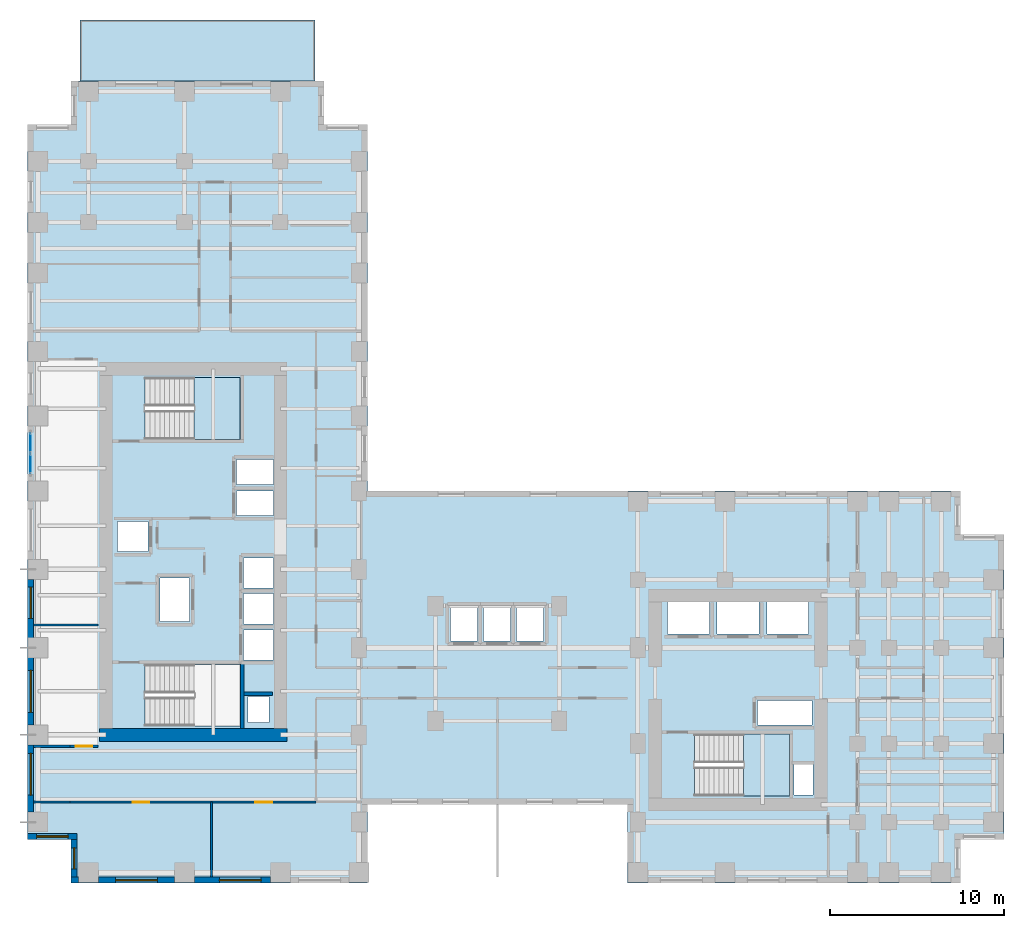
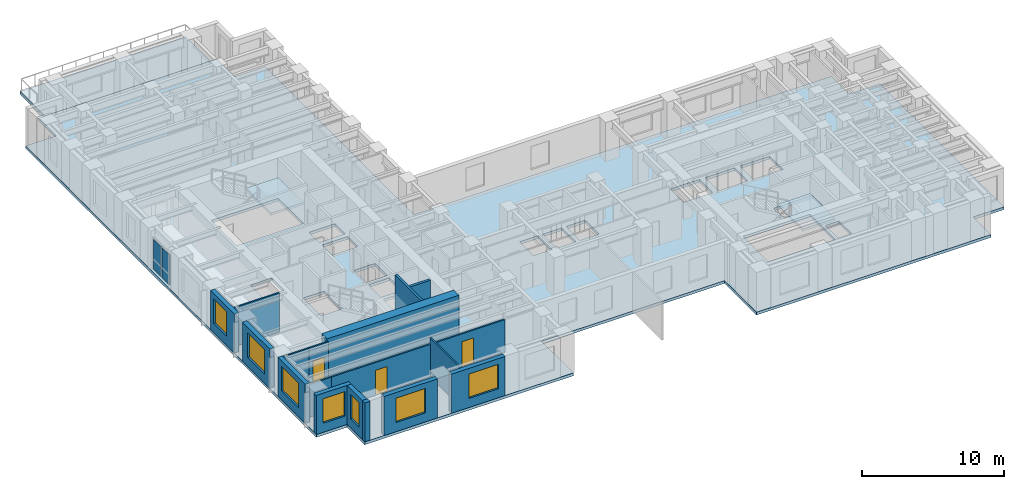
# One storey, part 4 of 13: 18 walls, 7 windows, 4 slabs, 3 doors, 2 plates, 10 openings, 3 elements without a shape of their own.
"""IFC4 building model written with IfcOpenShell, lengths in metres."""

from ifc_helpers import new_model, si_unit, direction, frame, frame_2d, origin, origin_2d, place, context, subcontext, project, spatial, polyline, rectangle, outline, extrude, source, transform, mapped, material, layer, layer_set, type_object, element, fill, aggregate, save


model = new_model("IFC4")

# Units and contexts
model_context = context("Model", 3, precision=1e-05, world=origin(), true_north=direction((0.0, 1.0)))
body_context = subcontext(model_context, "Body", "Model", "MODEL_VIEW")
ifc_project = project(units=[si_unit("LENGTHUNIT", "METRE"), si_unit("AREAUNIT", "SQUARE_METRE"), si_unit("VOLUMEUNIT", "CUBIC_METRE"), si_unit("PLANEANGLEUNIT", "RADIAN"), si_unit("MASSUNIT", "GRAM", prefix="KILO")], contexts=[model_context])

# Site, building, storey
site_placement = place(None, origin())
site = spatial("IfcSite", under=ifc_project, at=site_placement, CompositionType="ELEMENT")
building_placement = place(site_placement, origin())
building = spatial("IfcBuilding", under=site, at=building_placement, Name="Kharzan Plaza Tower", CompositionType="ELEMENT")
storey_placement = place(building_placement, frame((0.0, 0.0, 77.39990234375)))
storey = spatial("IfcBuildingStorey", under=building, at=storey_placement, Name="L20", CompositionType="ELEMENT", Elevation=77.39990234375)

# Slab
ifc_material_1 = material(Name="Concrete C40/50", Category="concrete")
ifc_layer_1 = layer(ifc_material_1, 0.239990234375)
ifc_layer_set_1 = layer_set([ifc_layer_1], Name="Concrete C40/50")
slab_type_1 = type_object("IfcSlabType", Name="SL-FLOOR-240", PredefinedType="FLOOR", material=ifc_layer_set_1)
slab_1_placement = place(storey_placement, frame((0.0, 0.0, -0.239990234375)))
element("IfcSlab", 1, at=slab_1_placement, inside=storey, type_object=slab_type_1, Name="L20 Composite Structural Floor Slab 240 mm", PredefinedType="FLOOR", context=body_context, shape_type="SweptSolid", body=[
    extrude(outline(polyline([(34.39990234375, 22.5), (19.5, 22.5), (19.5, 43.5), (17.0, 43.5), (17.0, 46.0), (2.5, 46.0), (2.5, 43.5), (0.0, 43.5), (0.0, 2.5), (2.5, 2.5), (2.5, 0.0), (19.5, 0.0), (19.5, 4.5), (34.39990234375, 4.5), (34.39990234375, 0.0), (53.5, 0.0), (53.5, 2.5), (56.0, 2.5), (56.0, 20.0), (53.5, 20.0), (53.5, 22.5), (34.39990234375, 22.5)]), holes=[polyline([(13.85009765625, 9.199951171875), (13.85009765625, 10.699951171875), (12.64990234375, 10.699951171875), (12.64990234375, 9.199951171875), (13.85009765625, 9.199951171875)]), polyline([(12.199951171875, 9.0), (12.199951171875, 12.550048828125), (6.75, 12.550048828125), (6.75, 9.0), (12.199951171875, 9.0)]), polyline([(14.10009765625, 12.800048828125), (14.10009765625, 14.530029296875), (12.39990234375, 14.530029296875), (12.39990234375, 12.800048828125), (14.10009765625, 12.800048828125)]), polyline([(14.10009765625, 14.8701171875), (14.10009765625, 16.60009765625), (12.39990234375, 16.60009765625), (12.39990234375, 14.8701171875), (14.10009765625, 14.8701171875)]), polyline([(9.300048828125, 15.0), (9.300048828125, 17.5), (7.60009765625, 17.5), (7.60009765625, 15.0), (9.300048828125, 15.0)]), polyline([(14.10009765625, 16.93994140625), (14.10009765625, 18.64990234375), (12.39990234375, 18.64990234375), (12.39990234375, 16.93994140625), (14.10009765625, 16.93994140625)]), polyline([(6.89990234375, 19.010009765625), (6.89990234375, 20.72998046875), (5.14990234375, 20.72998046875), (5.14990234375, 19.010009765625), (6.89990234375, 19.010009765625)]), polyline([(12.0, 21.070068359375), (14.10009765625, 21.070068359375), (14.10009765625, 22.489990234375), (12.0, 22.489990234375), (12.0, 21.070068359375)]), polyline([(12.0, 22.8701171875), (14.10009765625, 22.8701171875), (14.10009765625, 24.2900390625), (12.0, 24.2900390625), (12.0, 22.8701171875)]), polyline([(12.199951171875, 25.449951171875), (12.199951171875, 29.0), (6.75, 29.0), (6.75, 25.449951171875), (12.199951171875, 25.449951171875)]), polyline([(45.050048828125, 5.050048828125), (45.050048828125, 6.800048828125), (43.949951171875, 6.800048828125), (43.949951171875, 5.050048828125), (45.050048828125, 5.050048828125)]), polyline([(43.699951171875, 5.0), (43.699951171875, 8.550048828125), (38.25, 8.550048828125), (38.25, 5.0), (43.699951171875, 5.0)]), polyline([(41.85009765625, 9.070068359375), (45.0, 9.070068359375), (45.0, 10.469970703125), (41.85009765625, 10.469970703125), (41.85009765625, 9.070068359375)]), polyline([(24.25, 13.89990234375), (25.800048828125, 13.89990234375), (25.800048828125, 15.85009765625), (24.25, 15.85009765625), (24.25, 13.89990234375)]), polyline([(27.699951171875, 13.89990234375), (27.699951171875, 15.85009765625), (26.14990234375, 15.85009765625), (26.14990234375, 13.89990234375), (27.699951171875, 13.89990234375)]), polyline([(29.60009765625, 13.89990234375), (29.60009765625, 15.85009765625), (28.050048828125, 15.85009765625), (28.050048828125, 13.89990234375), (29.60009765625, 13.89990234375)]), polyline([(39.10009765625, 14.300048828125), (39.10009765625, 16.14990234375), (36.699951171875, 16.14990234375), (36.699951171875, 14.300048828125), (39.10009765625, 14.300048828125)]), polyline([(39.550048828125, 14.300048828125), (41.949951171875, 14.300048828125), (41.949951171875, 16.14990234375), (39.550048828125, 16.14990234375), (39.550048828125, 14.300048828125)]), polyline([(42.39990234375, 14.300048828125), (44.800048828125, 14.300048828125), (44.800048828125, 16.14990234375), (42.39990234375, 16.14990234375), (42.39990234375, 14.300048828125)])]), origin(), (0.0, 0.0, 1.0), 0.239990234375),
])

# Stair, slab
stair_type_1 = type_object("IfcStairType", Name="STR-ST-2", PredefinedType="HALF_TURN_STAIR", material=ifc_material_1)
stair_1_placement = place(storey_placement, origin())
stair_1 = element("IfcStair", 2, at=stair_1_placement, inside=storey, type_object=stair_type_1, Name="L20 Protected Exit Stair ST-2", PredefinedType="HALF_TURN_STAIR")
ifc_layer_2 = layer(ifc_material_1, 0.219970703125)
ifc_layer_set_2 = layer_set([ifc_layer_2], Name="Concrete C40/50")
slab_type_2 = type_object("IfcSlabType", Name="SL-LANDING-220", PredefinedType="LANDING", material=ifc_layer_set_2)
slab_2_placement = place(storey_placement, frame((0.0, 0.0, 1.60009765625)))
slab_2 = element("IfcSlab", 3, at=slab_2_placement, type_object=slab_type_2, Name="ST-2 landing 1", PredefinedType="LANDING", context=body_context, shape_type="SweptSolid", body=[
    extrude(outline(polyline([(9.550048828125, 25.449951171875), (12.199951171875, 25.449951171875), (12.199951171875, 29.0), (9.550048828125, 29.0), (9.550048828125, 25.449951171875)])), origin(), (0.0, 0.0, 1.0), 0.199951171875),
])
aggregate(stair_1, [slab_2])

stair_type_2 = type_object("IfcStairType", Name="STR-ST-3", PredefinedType="HALF_TURN_STAIR", material=ifc_material_1)
stair_2_placement = place(storey_placement, origin())
stair_2 = element("IfcStair", 4, at=stair_2_placement, inside=storey, type_object=stair_type_2, Name="L20 Protected Exit Stair ST-3", PredefinedType="HALF_TURN_STAIR")
slab_3_placement = place(storey_placement, frame((0.0, 0.0, 1.60009765625)))
slab_3 = element("IfcSlab", 5, at=slab_3_placement, type_object=slab_type_2, Name="ST-3 landing 1", PredefinedType="LANDING", context=body_context, shape_type="SweptSolid", body=[
    extrude(outline(polyline([(41.050048828125, 5.0), (43.699951171875, 5.0), (43.699951171875, 8.550048828125), (41.050048828125, 8.550048828125), (41.050048828125, 5.0)])), origin(), (0.0, 0.0, 1.0), 0.199951171875),
])
aggregate(stair_2, [slab_3])

# Slab
ifc_layer_3 = layer(ifc_material_1, 0.2548828125)
ifc_layer_set_3 = layer_set([ifc_layer_3], Name="Concrete C40/50")
slab_type_3 = type_object("IfcSlabType", Name="SL-TERR-TS-SB1", PredefinedType="ROOF", material=ifc_layer_set_3)
slab_4_placement = place(storey_placement, frame((0.0, 0.0, -0.2548828125)))
element("IfcSlab", 6, at=slab_4_placement, inside=storey, type_object=slab_type_3, Name="L20 North Setback Sky Terrace", PredefinedType="ROOF", context=body_context, shape_type="SweptSolid", body=[
    extrude(outline(polyline([(3.0, 46.0), (16.5, 46.0), (16.5, 49.5), (3.0, 49.5), (3.0, 46.0)])), origin(), (0.0, 0.0, 1.0), 0.2548828125),
])

# Curtain wall, plates
ifc_material_2 = material(Name="Unitised Bronze-Anodized Aluminium and Low-E Glass", Category="aluminium")
ifc_layer_4 = layer(ifc_material_2, 0.199951171875)
ifc_layer_set_4 = layer_set([ifc_layer_4], Name="Unitised Bronze-Anodized Aluminium and Low-E Glass")
curtain_wall_type = type_object("IfcCurtainWallType", Name="CW-SKY-4", PredefinedType="NOTDEFINED", material=ifc_layer_set_4)
curtain_wall_placement = place(storey_placement, origin())
curtain_wall = element("IfcCurtainWall", 7, at=curtain_wall_placement, inside=storey, type_object=curtain_wall_type, Name="L20 Sky-Lobby and Transfer Zone Feature Curtain Wall", PredefinedType="NOTDEFINED")
ifc_material_3 = material(Name="Dark Solar-Control Double Glazing", Category="glass")
ifc_layer_5 = layer(ifc_material_3, 0.031982421875)
ifc_layer_set_5 = layer_set([ifc_layer_5], Name="Dark Solar-Control Double Glazing")
plate_type = type_object("IfcPlateType", Name="PLT-CW-GLASS", PredefinedType="CURTAIN_PANEL", material=ifc_layer_set_5)
shared_shape_1 = source(origin(), body_context, "Body", "SweptSolid", [
    extrude(rectangle(XDim=1.080078125, YDim=0.031982421875, at=origin_2d()), origin(), (0.0, 0.0, 1.0), 2.590087890625),
])
plate_1_placement = place(storey_placement, frame((0.179931640625, 24.050048828125, 0.080078125), z_axis=(0.0, 0.0, 1.0), x_axis=(0.0, 1.0, 0.0)))
plate_1 = element("IfcPlate", 8, at=plate_1_placement, type_object=plate_type, Name="L20 Curtain-Wall Glazed Panel 00", PredefinedType="CURTAIN_PANEL", context=body_context, shape_type="MappedRepresentation", body=[
    mapped(shared_shape_1, transform((0.0, 0.0, 0.0), x_axis=(1.0, 0.0, 0.0), y_axis=(0.0, 1.0, 0.0), z_axis=(0.0, 0.0, 1.0))),
])
plate_2_placement = place(storey_placement, frame((0.179931640625, 25.25, 0.080078125), z_axis=(0.0, 0.0, 1.0), x_axis=(0.0, 1.0, 0.0)))
plate_2 = element("IfcPlate", 9, at=plate_2_placement, type_object=plate_type, Name="L20 Curtain-Wall Glazed Panel 01", PredefinedType="CURTAIN_PANEL", context=body_context, shape_type="MappedRepresentation", body=[
    mapped(shared_shape_1, transform((0.0, 0.0, 0.0), x_axis=(1.0, 0.0, 0.0), y_axis=(0.0, 1.0, 0.0), z_axis=(0.0, 0.0, 1.0))),
])
aggregate(curtain_wall, [plate_1, plate_2])

# Wall, opening, window
ifc_layer_6 = layer(ifc_material_1, 0.35009765625)
ifc_layer_set_6 = layer_set([ifc_layer_6], Name="Concrete C40/50")
wall_type_1 = type_object("IfcWallType", Name="WL-EXT-MAS-Z2", PredefinedType="SOLIDWALL", material=ifc_layer_set_6)
wall_1_placement = place(storey_placement, frame((0.175048828125, 17.427001953125, 0.0), z_axis=(0.0, 0.0, 1.0), x_axis=(0.0, -1.0, 0.0)))
wall_1 = element("IfcWall", 10, at=wall_1_placement, inside=storey, type_object=wall_type_1, Name="L20 Masonry-Frame Exterior Wall 17", PredefinedType="SOLIDWALL", context=body_context, shape_type="SweptSolid", body=[
    extrude(rectangle(XDim=3.35400390625, YDim=0.35009765625, at=frame_2d((1.677001953125, 0.0))), origin(), (0.0, 0.0, 1.0), 3.364990234375),
])
opening_1_placement = place(wall_1_placement, frame((0.448486328125, 0.0, 0.780029296875)))
opening_1 = element("IfcOpeningElement", 11, at=opening_1_placement, cuts=wall_1, Name="Opening W1", PredefinedType="OPENING", context=body_context, shape_type="SweptSolid", body=[
    extrude(rectangle(XDim=1.800048828125, YDim=2.10009765625, at=frame_2d((0.89990234375, 1.050048828125))), frame((0.0, 0.18505859375, 0.0), z_axis=(0.0, -1.0, 0.0), x_axis=(1.0, 0.0, 0.0)), (0.0, 0.0, 1.0), 0.3701171875),
])
ifc_material_4 = material(Name="Low-E Double Glazing", Category="glass")
window_type_1 = type_object("IfcWindowType", Name="WN-REC-1800x2100", PartitioningType="SINGLE_PANEL", PredefinedType="WINDOW", material=ifc_material_4)
shared_shape_2 = source(origin(), body_context, "Body", "SweptSolid", [
    extrude(rectangle(XDim=1.800048828125, YDim=2.10009765625, at=frame_2d((0.89990234375, 1.050048828125))), frame((0.0, 0.030029296875, 0.0), z_axis=(0.0, -1.0, 0.0), x_axis=(1.0, 0.0, 0.0)), (0.0, 0.0, 1.0), 0.06005859375),
])
window_1_placement = place(opening_1_placement, origin())
window_1 = element("IfcWindow", 12, at=window_1_placement, inside=storey, type_object=window_type_1, Name="L20 Recessed Solar-Control Window 17-1", OverallHeight=2.10009765625, OverallWidth=1.800048828125, PartitioningType="SINGLE_PANEL", PredefinedType="WINDOW", context=body_context, shape_type="MappedRepresentation", body=[
    mapped(shared_shape_2, transform((0.0, 0.0, 0.0), x_axis=(1.0, 0.0, 0.0), y_axis=(0.0, 1.0, 0.0), z_axis=(0.0, 0.0, 1.0))),
])
fill(opening_1, window_1)

wall_2_placement = place(storey_placement, frame((0.175048828125, 12.927001953125, 0.0), z_axis=(0.0, 0.0, 1.0), x_axis=(0.0, -1.0, 0.0)))
wall_2 = element("IfcWall", 13, at=wall_2_placement, inside=storey, type_object=wall_type_1, Name="L20 Masonry-Frame Exterior Wall 18", PredefinedType="SOLIDWALL", context=body_context, shape_type="SweptSolid", body=[
    extrude(rectangle(XDim=3.85400390625, YDim=0.35009765625, at=frame_2d((1.927001953125, 0.0))), origin(), (0.0, 0.0, 1.0), 3.364990234375),
])
opening_2_placement = place(wall_2_placement, frame((0.72705078125, 0.0, 0.780029296875)))
opening_2 = element("IfcOpeningElement", 14, at=opening_2_placement, cuts=wall_2, Name="Opening W2", PredefinedType="OPENING", context=body_context, shape_type="SweptSolid", body=[
    extrude(rectangle(XDim=2.39990234375, YDim=2.10009765625, at=frame_2d((1.199951171875, 1.050048828125))), frame((0.0, 0.18505859375, 0.0), z_axis=(0.0, -1.0, 0.0), x_axis=(1.0, 0.0, 0.0)), (0.0, 0.0, 1.0), 0.3701171875),
])
window_type_2 = type_object("IfcWindowType", Name="WN-REC-2400x2100", PartitioningType="SINGLE_PANEL", PredefinedType="WINDOW", material=ifc_material_4)
shared_shape_3 = source(origin(), body_context, "Body", "SweptSolid", [
    extrude(rectangle(XDim=2.39990234375, YDim=2.10009765625, at=frame_2d((1.199951171875, 1.050048828125))), frame((0.0, 0.030029296875, 0.0), z_axis=(0.0, -1.0, 0.0), x_axis=(1.0, 0.0, 0.0)), (0.0, 0.0, 1.0), 0.06005859375),
])
window_2_placement = place(opening_2_placement, origin())
window_2 = element("IfcWindow", 15, at=window_2_placement, inside=storey, type_object=window_type_2, Name="L20 Wide Recessed Solar-Control Window 18-1", OverallHeight=2.10009765625, OverallWidth=2.39990234375, PartitioningType="SINGLE_PANEL", PredefinedType="WINDOW", context=body_context, shape_type="MappedRepresentation", body=[
    mapped(shared_shape_3, transform((0.0, 0.0, 0.0), x_axis=(1.0, 0.0, 0.0), y_axis=(0.0, 1.0, 0.0), z_axis=(0.0, 0.0, 1.0))),
])
fill(opening_2, window_2)

wall_3_placement = place(storey_placement, frame((0.175048828125, 7.927001953125, 0.0), z_axis=(0.0, 0.0, 1.0), x_axis=(0.0, -1.0, 0.0)))
wall_3 = element("IfcWall", 16, at=wall_3_placement, inside=storey, type_object=wall_type_1, Name="L20 Masonry-Frame Exterior Wall 19", PredefinedType="SOLIDWALL", context=body_context, shape_type="SweptSolid", body=[
    extrude(rectangle(XDim=3.85400390625, YDim=0.35009765625, at=frame_2d((1.927001953125, 0.0))), origin(), (0.0, 0.0, 1.0), 3.364990234375),
])
opening_3_placement = place(wall_3_placement, frame((0.47705078125, 0.0, 0.780029296875)))
opening_3 = element("IfcOpeningElement", 17, at=opening_3_placement, cuts=wall_3, Name="Opening W2", PredefinedType="OPENING", context=body_context, shape_type="SweptSolid", body=[
    extrude(rectangle(XDim=2.39990234375, YDim=2.10009765625, at=frame_2d((1.199951171875, 1.050048828125))), frame((0.0, 0.18505859375, 0.0), z_axis=(0.0, -1.0, 0.0), x_axis=(1.0, 0.0, 0.0)), (0.0, 0.0, 1.0), 0.3701171875),
])
window_3_placement = place(opening_3_placement, origin())
window_3 = element("IfcWindow", 18, at=window_3_placement, inside=storey, type_object=window_type_2, Name="L20 Wide Recessed Solar-Control Window 19-1", OverallHeight=2.10009765625, OverallWidth=2.39990234375, PartitioningType="SINGLE_PANEL", PredefinedType="WINDOW", context=body_context, shape_type="MappedRepresentation", body=[
    mapped(shared_shape_3, transform((0.0, 0.0, 0.0), x_axis=(1.0, 0.0, 0.0), y_axis=(0.0, 1.0, 0.0), z_axis=(0.0, 0.0, 1.0))),
])
fill(opening_3, window_3)

wall_4_placement = place(storey_placement, frame((0.0, 2.675048828125, 0.0), z_axis=(0.0, 0.0, 1.0), x_axis=(1.0, 0.0, 0.0)))
wall_4 = element("IfcWall", 19, at=wall_4_placement, inside=storey, type_object=wall_type_1, Name="L20 Masonry-Frame Exterior Wall 20", PredefinedType="SOLIDWALL", context=body_context, shape_type="SweptSolid", body=[
    extrude(rectangle(XDim=2.85009765625, YDim=0.35009765625, at=frame_2d((1.425048828125, 0.0))), origin(), (0.0, 0.0, 1.0), 3.364990234375),
])
opening_4_placement = place(wall_4_placement, frame((0.52490234375, 0.0, 0.780029296875)))
opening_4 = element("IfcOpeningElement", 20, at=opening_4_placement, cuts=wall_4, Name="Opening W1", PredefinedType="OPENING", context=body_context, shape_type="SweptSolid", body=[
    extrude(rectangle(XDim=1.800048828125, YDim=2.10009765625, at=frame_2d((0.89990234375, 1.050048828125))), frame((0.0, 0.18505859375, 0.0), z_axis=(0.0, -1.0, 0.0), x_axis=(1.0, 0.0, 0.0)), (0.0, 0.0, 1.0), 0.3701171875),
])
window_4_placement = place(opening_4_placement, origin())
window_4 = element("IfcWindow", 21, at=window_4_placement, inside=storey, type_object=window_type_1, Name="L20 Recessed Solar-Control Window 20-1", OverallHeight=2.10009765625, OverallWidth=1.800048828125, PartitioningType="SINGLE_PANEL", PredefinedType="WINDOW", context=body_context, shape_type="MappedRepresentation", body=[
    mapped(shared_shape_2, transform((0.0, 0.0, 0.0), x_axis=(1.0, 0.0, 0.0), y_axis=(0.0, 1.0, 0.0), z_axis=(0.0, 0.0, 1.0))),
])
fill(opening_4, window_4)

wall_5_placement = place(storey_placement, frame((2.675048828125, 2.501953125, 0.0), z_axis=(0.0, 0.0, 1.0), x_axis=(0.0, -1.0, 0.0)))
wall_5 = element("IfcWall", 22, at=wall_5_placement, inside=storey, type_object=wall_type_1, Name="L20 Masonry-Frame Exterior Wall 21", PredefinedType="SOLIDWALL", context=body_context, shape_type="SweptSolid", body=[
    extrude(rectangle(XDim=2.154052734375, YDim=0.35009765625, at=frame_2d((1.0771484375, 0.0))), origin(), (0.0, 0.0, 1.0), 3.364990234375),
])
opening_5_placement = place(wall_5_placement, frame((0.47705078125, 0.0, 0.780029296875)))
opening_5 = element("IfcOpeningElement", 23, at=opening_5_placement, cuts=wall_5, Name="Opening W3", PredefinedType="OPENING", context=body_context, shape_type="SweptSolid", body=[
    extrude(rectangle(XDim=1.199951171875, YDim=2.10009765625, at=frame_2d((0.60009765625, 1.050048828125))), frame((0.0, 0.18505859375, 0.0), z_axis=(0.0, -1.0, 0.0), x_axis=(1.0, 0.0, 0.0)), (0.0, 0.0, 1.0), 0.3701171875),
])
window_type_3 = type_object("IfcWindowType", Name="WN-REC-1200x2100", PartitioningType="SINGLE_PANEL", PredefinedType="WINDOW", material=ifc_material_4)
shared_shape_4 = source(origin(), body_context, "Body", "SweptSolid", [
    extrude(rectangle(XDim=1.199951171875, YDim=2.10009765625, at=frame_2d((0.60009765625, 1.050048828125))), frame((0.0, 0.030029296875, 0.0), z_axis=(0.0, -1.0, 0.0), x_axis=(1.0, 0.0, 0.0)), (0.0, 0.0, 1.0), 0.06005859375),
])
window_5_placement = place(opening_5_placement, origin())
window_5 = element("IfcWindow", 24, at=window_5_placement, inside=storey, type_object=window_type_3, Name="L20 Recessed Solar-Control Window 21-1", OverallHeight=2.10009765625, OverallWidth=1.199951171875, PartitioningType="SINGLE_PANEL", PredefinedType="WINDOW", context=body_context, shape_type="MappedRepresentation", body=[
    mapped(shared_shape_4, transform((0.0, 0.0, 0.0), x_axis=(1.0, 0.0, 0.0), y_axis=(0.0, 1.0, 0.0), z_axis=(0.0, 0.0, 1.0))),
])
fill(opening_5, window_5)

wall_6_placement = place(storey_placement, frame((4.072998046875, 0.175048828125, 0.0), z_axis=(0.0, 0.0, 1.0), x_axis=(1.0, 0.0, 0.0)))
wall_6 = element("IfcWall", 25, at=wall_6_placement, inside=storey, type_object=wall_type_1, Name="L20 Masonry-Frame Exterior Wall 23", PredefinedType="SOLIDWALL", context=body_context, shape_type="SweptSolid", body=[
    extrude(rectangle(XDim=4.35400390625, YDim=0.35009765625, at=frame_2d((2.177001953125, 0.0))), origin(), (0.0, 0.0, 1.0), 3.364990234375),
])
opening_6_placement = place(wall_6_placement, frame((0.97705078125, 0.0, 0.780029296875)))
opening_6 = element("IfcOpeningElement", 26, at=opening_6_placement, cuts=wall_6, Name="Opening W2", PredefinedType="OPENING", context=body_context, shape_type="SweptSolid", body=[
    extrude(rectangle(XDim=2.39990234375, YDim=2.10009765625, at=frame_2d((1.199951171875, 1.050048828125))), frame((0.0, 0.18505859375, 0.0), z_axis=(0.0, -1.0, 0.0), x_axis=(1.0, 0.0, 0.0)), (0.0, 0.0, 1.0), 0.3701171875),
])
window_6_placement = place(opening_6_placement, origin())
window_6 = element("IfcWindow", 27, at=window_6_placement, inside=storey, type_object=window_type_2, Name="L20 Wide Recessed Solar-Control Window 23-1", OverallHeight=2.10009765625, OverallWidth=2.39990234375, PartitioningType="SINGLE_PANEL", PredefinedType="WINDOW", context=body_context, shape_type="MappedRepresentation", body=[
    mapped(shared_shape_3, transform((0.0, 0.0, 0.0), x_axis=(1.0, 0.0, 0.0), y_axis=(0.0, 1.0, 0.0), z_axis=(0.0, 0.0, 1.0))),
])
fill(opening_6, window_6)

wall_7_placement = place(storey_placement, frame((9.572998046875, 0.175048828125, 0.0), z_axis=(0.0, 0.0, 1.0), x_axis=(1.0, 0.0, 0.0)))
wall_7 = element("IfcWall", 28, at=wall_7_placement, inside=storey, type_object=wall_type_1, Name="L20 Masonry-Frame Exterior Wall 24", PredefinedType="SOLIDWALL", context=body_context, shape_type="SweptSolid", body=[
    extrude(rectangle(XDim=4.35400390625, YDim=0.35009765625, at=frame_2d((2.177001953125, 0.0))), origin(), (0.0, 0.0, 1.0), 3.364990234375),
])
opening_7_placement = place(wall_7_placement, frame((1.427490234375, 0.0, 0.780029296875)))
opening_7 = element("IfcOpeningElement", 29, at=opening_7_placement, cuts=wall_7, Name="Opening W2", PredefinedType="OPENING", context=body_context, shape_type="SweptSolid", body=[
    extrude(rectangle(XDim=2.39990234375, YDim=2.10009765625, at=frame_2d((1.199951171875, 1.050048828125))), frame((0.0, 0.18505859375, 0.0), z_axis=(0.0, -1.0, 0.0), x_axis=(1.0, 0.0, 0.0)), (0.0, 0.0, 1.0), 0.3701171875),
])
window_7_placement = place(opening_7_placement, origin())
window_7 = element("IfcWindow", 30, at=window_7_placement, inside=storey, type_object=window_type_2, Name="L20 Wide Recessed Solar-Control Window 24-1", OverallHeight=2.10009765625, OverallWidth=2.39990234375, PartitioningType="SINGLE_PANEL", PredefinedType="WINDOW", context=body_context, shape_type="MappedRepresentation", body=[
    mapped(shared_shape_3, transform((0.0, 0.0, 0.0), x_axis=(1.0, 0.0, 0.0), y_axis=(0.0, 1.0, 0.0), z_axis=(0.0, 0.0, 1.0))),
])
fill(opening_7, window_7)

# Wall, opening, door
ifc_material_5 = material(Name="Fire-Rated Gypsum Board Partition", Category="gypsum")
ifc_layer_7 = layer(ifc_material_5, 0.125)
ifc_layer_set_7 = layer_set([ifc_layer_7], Name="Fire-Rated Gypsum Board Partition")
wall_type_2 = type_object("IfcWallType", Name="WL-INT-PART-125", PredefinedType="PARTITIONING", material=ifc_layer_set_7)
wall_8_placement = place(storey_placement, frame((2.449951171875, 7.85009765625, 0.0), z_axis=(0.0, 0.0, 1.0), x_axis=(1.0, 0.0, 0.0)))
wall_8 = element("IfcWall", 31, at=wall_8_placement, inside=storey, type_object=wall_type_2, Name="L20 Interior Partition SH-RWSD", PredefinedType="PARTITIONING", context=body_context, shape_type="SweptSolid", body=[
    extrude(rectangle(XDim=1.60009765625, YDim=0.125, at=frame_2d((0.800048828125, 0.0))), origin(), (0.0, 0.0, 1.0), 3.364990234375),
])
opening_8_placement = place(wall_8_placement, frame((0.324951171875, 0.0, 0.0)))
opening_8 = element("IfcOpeningElement", 32, at=opening_8_placement, cuts=wall_8, Name="Opening OD1", PredefinedType="OPENING", context=body_context, shape_type="SweptSolid", body=[
    extrude(rectangle(XDim=0.949951171875, YDim=2.14990234375, at=frame_2d((0.47509765625, 1.074951171875))), frame((0.0, 0.072509765625, 0.0), z_axis=(0.0, -1.0, 0.0), x_axis=(1.0, 0.0, 0.0)), (0.0, 0.0, 1.0), 0.14501953125),
])
ifc_material_6 = material(Name="Acoustic Solid-Core Stained Oak", Category="timber")
door_type = type_object("IfcDoorType", Name="DR-OFF-SINGLE", OperationType="NOTDEFINED", PredefinedType="DOOR", material=ifc_material_6)
shared_shape_5 = source(origin(), body_context, "Body", "SweptSolid", [
    extrude(rectangle(XDim=0.949951171875, YDim=2.14990234375, at=frame_2d((0.47509765625, 1.074951171875))), frame((0.0, 0.02490234375, 0.0), z_axis=(0.0, -1.0, 0.0), x_axis=(1.0, 0.0, 0.0)), (0.0, 0.0, 1.0), 0.050048828125),
])
door_1_placement = place(opening_8_placement, origin())
door_1 = element("IfcDoor", 33, at=door_1_placement, inside=storey, type_object=door_type, Name="L20 West Office 1 Door", OperationType="SINGLE_SWING_LEFT", OverallHeight=2.14990234375, OverallWidth=0.949951171875, PredefinedType="DOOR", context=body_context, shape_type="MappedRepresentation", body=[
    mapped(shared_shape_5, transform((0.0, 0.0, 0.0), x_axis=(1.0, 0.0, 0.0), y_axis=(0.0, 1.0, 0.0), z_axis=(0.0, 0.0, 1.0))),
])
fill(opening_8, door_1)

wall_9_placement = place(storey_placement, frame((2.449951171875, 4.64990234375, 0.0), z_axis=(0.0, 0.0, 1.0), x_axis=(1.0, 0.0, 0.0)))
wall_9 = element("IfcWall", 34, at=wall_9_placement, inside=storey, type_object=wall_type_2, Name="L20 Interior Partition SH-SS-1", PredefinedType="PARTITIONING", context=body_context, shape_type="SweptSolid", body=[
    extrude(rectangle(XDim=8.093994140625, YDim=0.125, at=frame_2d((4.046875, 0.0))), origin(), (0.0, 0.0, 1.0), 2.828125),
])
opening_9_placement = place(wall_9_placement, frame((3.572021484375, 0.0, 0.0)))
opening_9 = element("IfcOpeningElement", 35, at=opening_9_placement, cuts=wall_9, Name="Opening OD1", PredefinedType="OPENING", context=body_context, shape_type="SweptSolid", body=[
    extrude(rectangle(XDim=0.949951171875, YDim=2.14990234375, at=frame_2d((0.47509765625, 1.074951171875))), frame((0.0, 0.072509765625, 0.0), z_axis=(0.0, -1.0, 0.0), x_axis=(1.0, 0.0, 0.0)), (0.0, 0.0, 1.0), 0.14501953125),
])
door_2_placement = place(opening_9_placement, origin())
door_2 = element("IfcDoor", 36, at=door_2_placement, inside=storey, type_object=door_type, Name="L20 Software Engineering Office Door", OperationType="SINGLE_SWING_LEFT", OverallHeight=2.14990234375, OverallWidth=0.949951171875, PredefinedType="DOOR", context=body_context, shape_type="MappedRepresentation", body=[
    mapped(shared_shape_5, transform((0.0, 0.0, 0.0), x_axis=(1.0, 0.0, 0.0), y_axis=(0.0, 1.0, 0.0), z_axis=(0.0, 0.0, 1.0))),
])
fill(opening_9, door_2)

wall_10_placement = place(storey_placement, frame((10.5439453125, 4.64990234375, 0.0), z_axis=(0.0, 0.0, 1.0), x_axis=(1.0, 0.0, 0.0)))
wall_10 = element("IfcWall", 37, at=wall_10_placement, inside=storey, type_object=wall_type_2, Name="L20 Interior Partition SH-SS-2", PredefinedType="PARTITIONING", context=body_context, shape_type="SweptSolid", body=[
    extrude(rectangle(XDim=6.006103515625, YDim=0.125, at=frame_2d((3.0029296875, 0.0))), origin(), (0.0, 0.0, 1.0), 2.828125),
])
opening_10_placement = place(wall_10_placement, frame((2.528076171875, 0.0, 0.0)))
opening_10 = element("IfcOpeningElement", 38, at=opening_10_placement, cuts=wall_10, Name="Opening OD1", PredefinedType="OPENING", context=body_context, shape_type="SweptSolid", body=[
    extrude(rectangle(XDim=0.949951171875, YDim=2.14990234375, at=frame_2d((0.47509765625, 1.074951171875))), frame((0.0, 0.072509765625, 0.0), z_axis=(0.0, -1.0, 0.0), x_axis=(1.0, 0.0, 0.0)), (0.0, 0.0, 1.0), 0.14501953125),
])
door_3_placement = place(opening_10_placement, origin())
door_3 = element("IfcDoor", 39, at=door_3_placement, inside=storey, type_object=door_type, Name="L20 Cloud Architecture Office Door", OperationType="SINGLE_SWING_RIGHT", OverallHeight=2.14990234375, OverallWidth=0.949951171875, PredefinedType="DOOR", context=body_context, shape_type="MappedRepresentation", body=[
    mapped(shared_shape_5, transform((0.0, 0.0, 0.0), x_axis=(1.0, 0.0, 0.0), y_axis=(0.0, 1.0, 0.0), z_axis=(0.0, 0.0, 1.0))),
])
fill(opening_10, door_3)

# Walls
shared_shape_6 = source(origin(), body_context, "Body", "SweptSolid", [
    extrude(rectangle(XDim=4.2978515625, YDim=0.125, at=frame_2d((2.14892578125, 0.0))), origin(), (0.0, 0.0, 1.0), 3.364990234375),
])
wall_11_placement = place(storey_placement, frame((10.5439453125, 0.35205078125, 0.0), z_axis=(0.0, 0.0, 1.0), x_axis=(0.0, 1.0, 0.0)))
element("IfcWall", 40, at=wall_11_placement, inside=storey, type_object=wall_type_2, Name="L20 Interior Partition SH-SV-1", PredefinedType="PARTITIONING", context=body_context, shape_type="MappedRepresentation", body=[
    mapped(shared_shape_6, transform((0.0, 0.0, 0.0), x_axis=(1.0, 0.0, 0.0), y_axis=(0.0, 1.0, 0.0), z_axis=(0.0, 0.0, 1.0))),
])
shared_shape_7 = source(origin(), body_context, "Body", "SweptSolid", [
    extrude(rectangle(XDim=2.097900390625, YDim=0.125, at=frame_2d((1.048828125, 0.0))), origin(), (0.0, 0.0, 1.0), 3.364990234375),
])
wall_12_placement = place(storey_placement, frame((0.35205078125, 7.85009765625, 0.0), z_axis=(0.0, 0.0, 1.0), x_axis=(1.0, 0.0, 0.0)))
element("IfcWall", 41, at=wall_12_placement, inside=storey, type_object=wall_type_2, Name="L20 Interior Partition SH-RWS0", PredefinedType="PARTITIONING", context=body_context, shape_type="MappedRepresentation", body=[
    mapped(shared_shape_7, transform((0.0, 0.0, 0.0), x_axis=(1.0, 0.0, 0.0), y_axis=(0.0, 1.0, 0.0), z_axis=(0.0, 0.0, 1.0))),
])
shared_shape_8 = source(origin(), body_context, "Body", "SweptSolid", [
    extrude(rectangle(XDim=2.097900390625, YDim=0.125, at=frame_2d((1.048828125, 0.0))), origin(), (0.0, 0.0, 1.0), 2.828125),
])
wall_13_placement = place(storey_placement, frame((0.35205078125, 4.64990234375, 0.0), z_axis=(0.0, 0.0, 1.0), x_axis=(1.0, 0.0, 0.0)))
element("IfcWall", 42, at=wall_13_placement, inside=storey, type_object=wall_type_2, Name="L20 Interior Partition SH-SS-EXT", PredefinedType="PARTITIONING", context=body_context, shape_type="MappedRepresentation", body=[
    mapped(shared_shape_8, transform((0.0, 0.0, 0.0), x_axis=(1.0, 0.0, 0.0), y_axis=(0.0, 1.0, 0.0), z_axis=(0.0, 0.0, 1.0))),
])
ifc_material_7 = material(Name="Concrete C60/75", Category="concrete")
ifc_layer_8 = layer(ifc_material_7, 0.75)
ifc_layer_set_8 = layer_set([ifc_layer_8], Name="Concrete C60/75")
wall_type_3 = type_object("IfcWallType", Name="WL-CORE-750", PredefinedType="SHEAR", material=ifc_layer_set_8)
shared_shape_9 = source(origin(), body_context, "Body", "SweptSolid", [
    extrude(rectangle(XDim=10.75, YDim=0.75, at=frame_2d((5.375, 0.0))), origin(), (0.0, 0.0, 1.0), 3.380126953125),
])
wall_14_placement = place(storey_placement, frame((4.125, 8.5, 0.0), z_axis=(0.0, 0.0, 1.0), x_axis=(1.0, 0.0, 0.0)))
element("IfcWall", 43, at=wall_14_placement, inside=storey, type_object=wall_type_3, Name="L20 CORE-A south RC shear wall", PredefinedType="SHEAR", context=body_context, shape_type="MappedRepresentation", body=[
    mapped(shared_shape_9, transform((0.0, 0.0, 0.0), x_axis=(1.0, 0.0, 0.0), y_axis=(0.0, 1.0, 0.0), z_axis=(0.0, 0.0, 1.0))),
])
shared_shape_10 = source(origin(), body_context, "Body", "SweptSolid", [
    extrude(rectangle(XDim=0.427001953125, YDim=0.35009765625, at=frame_2d((0.21337890625, 0.0))), origin(), (0.0, 0.0, 1.0), 3.364990234375),
])
wall_15_placement = place(storey_placement, frame((2.5, 0.175048828125, 0.0), z_axis=(0.0, 0.0, 1.0), x_axis=(1.0, 0.0, 0.0)))
element("IfcWall", 44, at=wall_15_placement, inside=storey, type_object=wall_type_1, Name="L20 Masonry-Frame Exterior Wall 22", PredefinedType="SOLIDWALL", context=body_context, shape_type="MappedRepresentation", body=[
    mapped(shared_shape_10, transform((0.0, 0.0, 0.0), x_axis=(1.0, 0.0, 0.0), y_axis=(0.0, 1.0, 0.0), z_axis=(0.0, 0.0, 1.0))),
])
shared_shape_11 = source(origin(), body_context, "Body", "SweptSolid", [
    extrude(rectangle(XDim=3.697998046875, YDim=0.125, at=frame_2d((1.84912109375, 0.0))), origin(), (0.0, 0.0, 1.0), 3.364990234375),
])
wall_16_placement = place(storey_placement, frame((0.35205078125, 14.800048828125, 0.0), z_axis=(0.0, 0.0, 1.0), x_axis=(1.0, 0.0, 0.0)))
element("IfcWall", 45, at=wall_16_placement, inside=storey, type_object=wall_type_2, Name="L20 Interior Partition SH-WMID", PredefinedType="PARTITIONING", context=body_context, shape_type="MappedRepresentation", body=[
    mapped(shared_shape_11, transform((0.0, 0.0, 0.0), x_axis=(1.0, 0.0, 0.0), y_axis=(0.0, 1.0, 0.0), z_axis=(0.0, 0.0, 1.0))),
])
ifc_layer_9 = layer(ifc_material_1, 0.199951171875)
ifc_layer_set_9 = layer_set([ifc_layer_9], Name="Concrete C40/50")
wall_type_4 = type_object("IfcWallType", Name="WL-INT-SHAFT-200", PredefinedType="PARTITIONING", material=ifc_layer_set_9)
shared_shape_12 = source(origin(), body_context, "Body", "SweptSolid", [
    extrude(rectangle(XDim=1.630126953125, YDim=0.199951171875, at=frame_2d((0.81494140625, 0.0))), origin(), (0.0, 0.0, 1.0), 3.364990234375),
])
wall_17_placement = place(storey_placement, frame((12.419921875, 10.85009765625, 0.0), z_axis=(0.0, 0.0, 1.0), x_axis=(1.0, 0.0, 0.0)))
element("IfcWall", 46, at=wall_17_placement, inside=storey, type_object=wall_type_4, Name="L20 Interior Partition CA-RSRA-N", PredefinedType="PARTITIONING", context=body_context, shape_type="MappedRepresentation", body=[
    mapped(shared_shape_12, transform((0.0, 0.0, 0.0), x_axis=(1.0, 0.0, 0.0), y_axis=(0.0, 1.0, 0.0), z_axis=(0.0, 0.0, 1.0))),
])
ifc_material_8 = material(Name="Concrete C50/60", Category="concrete")
ifc_layer_10 = layer(ifc_material_8, 0.199951171875)
ifc_layer_set_10 = layer_set([ifc_layer_10], Name="Concrete C50/60")
wall_type_5 = type_object("IfcWallType", Name="WL-SHAFT-RC200", PredefinedType="SHEAR", material=ifc_layer_set_10)
shared_shape_13 = source(origin(), body_context, "Body", "SweptSolid", [
    extrude(rectangle(XDim=3.677978515625, YDim=0.199951171875, at=frame_2d((1.8388671875, 0.0))), origin(), (0.0, 0.0, 1.0), 3.380126953125),
])
wall_18_placement = place(storey_placement, frame((12.304931640625, 8.876953125, 0.0), z_axis=(0.0, 0.0, 1.0), x_axis=(0.0, 1.0, 0.0)))
element("IfcWall", 47, at=wall_18_placement, inside=storey, type_object=wall_type_5, Name="L20 Stair ST-1 East RC Shaft Wall", PredefinedType="SHEAR", context=body_context, shape_type="MappedRepresentation", body=[
    mapped(shared_shape_13, transform((0.0, 0.0, 0.0), x_axis=(1.0, 0.0, 0.0), y_axis=(0.0, 1.0, 0.0), z_axis=(0.0, 0.0, 1.0))),
])

save(model, "model.ifc")
